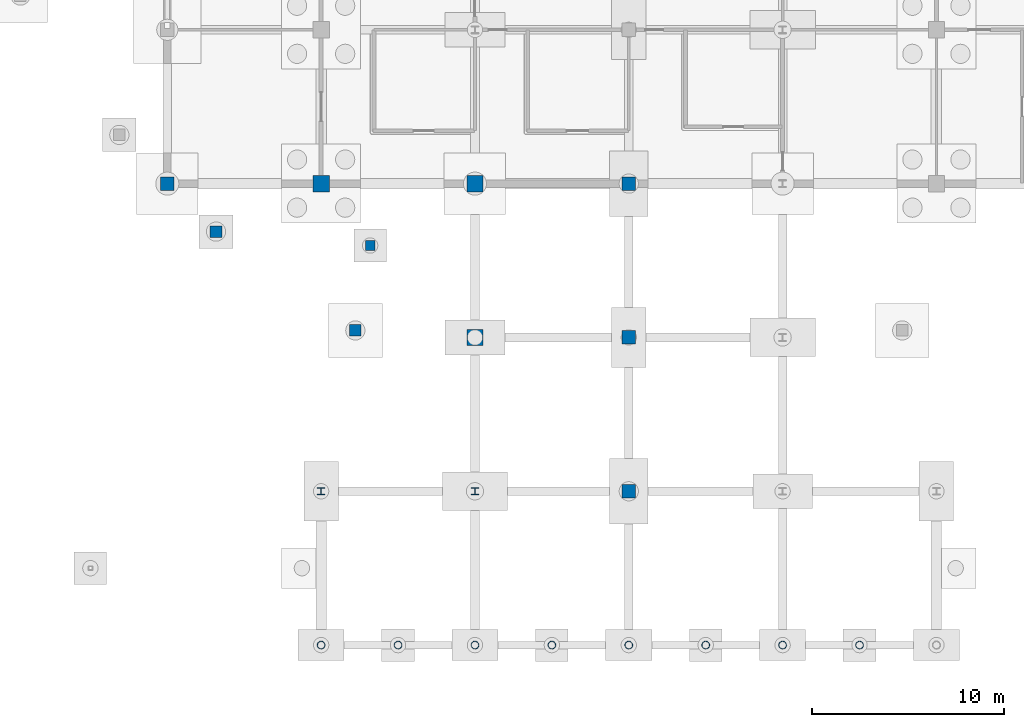
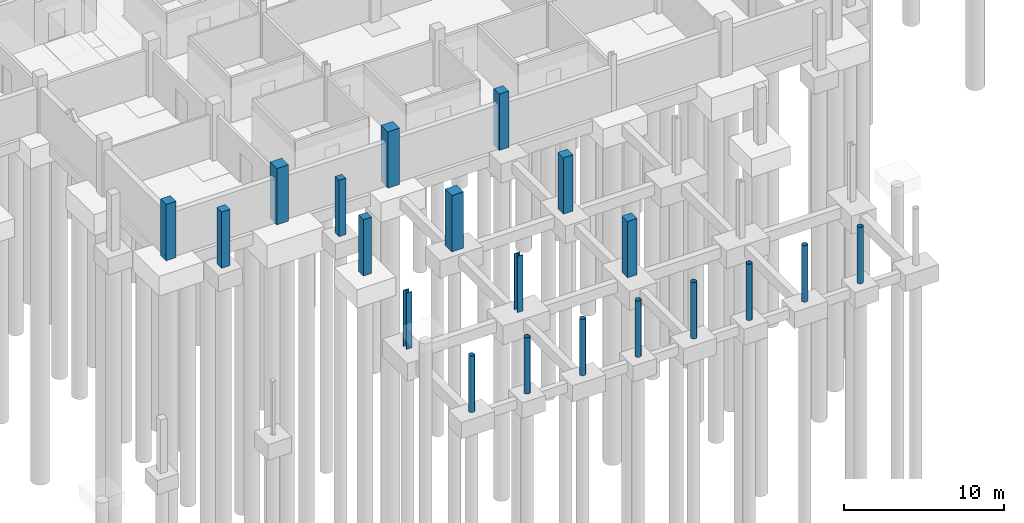
# One storey, part 15 of 48: 20 columns.
"""IFC4 building model written with IfcOpenShell, lengths in metres."""

from ifc_helpers import new_model, si_unit, derived_unit, direction, frame, origin, origin_2d, place, context, subcontext, project, spatial, rectangle, hollow_circle, i_section, extrude, material, material_profile, profile_set, type_object, element, save


model = new_model("IFC4")

# Units and contexts
model_context = context("Model", 3, precision=1e-05, world=origin(), true_north=direction((0.0, 1.0)))
body_context = subcontext(model_context, "Body", "Model", "MODEL_VIEW")
ifc_project = project(units=[si_unit("LENGTHUNIT", "METRE"), si_unit("AREAUNIT", "SQUARE_METRE"), si_unit("VOLUMEUNIT", "CUBIC_METRE"), si_unit("PLANEANGLEUNIT", "RADIAN"), si_unit("MASSUNIT", "GRAM", prefix="KILO"), derived_unit("THERMALTRANSMITTANCEUNIT", [(si_unit("MASSUNIT", "GRAM", prefix="KILO"), 1), (si_unit("TIMEUNIT", "SECOND"), -3), (si_unit("THERMODYNAMICTEMPERATUREUNIT", "KELVIN"), -1)])], contexts=[model_context])

# Site, building, storey
site_placement = place(None, origin())
site = spatial("IfcSite", under=ifc_project, at=site_placement, CompositionType="ELEMENT")
building_placement = place(site_placement, origin())
building = spatial("IfcBuilding", under=site, at=building_placement, Name="Veyamyaing Civic Hall", CompositionType="ELEMENT")
storey_placement = place(building_placement, frame((0.0, 0.0, -4.2900390625)))
storey = spatial("IfcBuildingStorey", under=building, at=storey_placement, Name="B1", CompositionType="ELEMENT", Elevation=-4.2900390625)

# Columns
ifc_material_1 = material(Name="Concrete C45/55", Category="concrete")
ifc_material_profile_1 = material_profile(ifc_material_1, rectangle(XDim=0.85009765625, YDim=0.85009765625, at=origin_2d()), Name="RC-COL-850X850")
ifc_profile_set_1 = profile_set([ifc_material_profile_1], Name="Concrete C45/55")
column_type_1 = type_object("IfcColumnType", Name="C-01", PredefinedType="COLUMN", material=ifc_profile_set_1)
for number, where, z_axis, x_axis, name in (
    (1, (72.0, 24.0, 0.0), (0.0, 0.0, 1.0), (1.0, 0.0, 0.0), "Column C-01 10-D B1"),
    (2, (80.0, 16.0, 0.0), (0.0, 0.0, 1.0), (1.0, 0.0, 0.0), "Column C-01 11-C B1"),
    (3, (80.0, 24.0, 0.0), (0.0, 0.0, 1.0), (1.0, 0.0, 0.0), "Column C-01 11-D B1"),
):
    element("IfcColumn", number, at=place(storey_placement, frame(where, z_axis=z_axis, x_axis=x_axis)), inside=storey, type_object=column_type_1, Name=name, PredefinedType="COLUMN", context=body_context, shape_type="SweptSolid", body=[
        extrude(rectangle(XDim=0.85009765625, YDim=0.85009765625, at=origin_2d()), origin(), (0.0, 0.0, 1.0), 4.2900390625),
    ])
ifc_material_profile_2 = material_profile(ifc_material_1, rectangle(XDim=0.699951171875, YDim=0.699951171875, at=origin_2d()), Name="RC-COL-700X700")
ifc_profile_set_2 = profile_set([ifc_material_profile_2], Name="Concrete C45/55")
column_type_2 = type_object("IfcColumnType", Name="C-04", PredefinedType="COLUMN", material=ifc_profile_set_2)
for number, where, z_axis, x_axis, name in (
    (4, (64.0, 24.0, 0.0), (0.0, 0.0, 1.0), (1.0, 0.0, 0.0), "Column C-04 9-D B1"),
    (5, (88.0, 8.0, 0.0), (0.0, 0.0, 1.0), (1.0, 0.0, 0.0), "Column C-04 12-B B1"),
    (6, (88.0, 16.0, 0.0), (0.0, 0.0, 1.0), (1.0, 0.0, 0.0), "Column C-04 12-C B1"),
    (7, (88.0, 24.0, 0.0), (0.0, 0.0, 1.0), (1.0, 0.0, 0.0), "Column C-04 12-D B1"),
):
    element("IfcColumn", number, at=place(storey_placement, frame(where, z_axis=z_axis, x_axis=x_axis)), inside=storey, type_object=column_type_2, Name=name, PredefinedType="COLUMN", context=body_context, shape_type="SweptSolid", body=[
        extrude(rectangle(XDim=0.699951171875, YDim=0.699951171875, at=origin_2d()), origin(), (0.0, 0.0, 1.0), 4.2900390625),
    ])
ifc_material_profile_3 = material_profile(ifc_material_1, rectangle(XDim=0.60009765625, YDim=0.60009765625, at=origin_2d()), Name="RC-COL-600X600")
ifc_profile_set_3 = profile_set([ifc_material_profile_3], Name="Concrete C45/55")
column_type_3 = type_object("IfcColumnType", Name="C-06", PredefinedType="COLUMN", material=ifc_profile_set_3)
for number, where, z_axis, x_axis, name in (
    (8, (66.533447265625, 21.5048828125, 0.0), (0.0, 0.0, 1.0), (1.0, 0.0, 0.0), "Curved corner column C-06 ARC-SW-09 B1"),
    (9, (73.779296875, 16.36376953125, 0.0), (0.0, 0.0, 1.0), (1.0, 0.0, 0.0), "Curved corner column C-06 ARC-SW-14 B1"),
):
    element("IfcColumn", number, at=place(storey_placement, frame(where, z_axis=z_axis, x_axis=x_axis)), inside=storey, type_object=column_type_3, Name=name, PredefinedType="COLUMN", context=body_context, shape_type="SweptSolid", body=[
        extrude(rectangle(XDim=0.60009765625, YDim=0.60009765625, at=origin_2d()), origin(), (0.0, 0.0, 1.0), 4.2900390625),
    ])
ifc_material_2 = material(Name="Steel S355J2", Category="steel")
ifc_material_profile_4 = material_profile(ifc_material_2, i_section(OverallWidth=0.39794921875, OverallDepth=0.386962890625, WebThickness=0.02099609375, FlangeThickness=0.033203125, FilletRadius=0.014892578125, at=origin_2d()), Name="W360X262")
ifc_profile_set_4 = profile_set([ifc_material_profile_4], Name="Steel S355J2")
column_type_4 = type_object("IfcColumnType", Name="C-08", PredefinedType="COLUMN", material=ifc_profile_set_4)
for number, where, z_axis, x_axis, name in (
    (10, (72.0, 8.0, 0.0), (0.0, 0.0, 1.0), (1.0, 0.0, 0.0), "Column C-08 10-B B1"),
    (11, (80.0, 8.0, 0.0), (0.0, 0.0, 1.0), (1.0, 0.0, 0.0), "Column C-08 11-B B1"),
):
    element("IfcColumn", number, at=place(storey_placement, frame(where, z_axis=z_axis, x_axis=x_axis)), inside=storey, type_object=column_type_4, Name=name, PredefinedType="COLUMN", context=body_context, shape_type="SweptSolid", body=[
        extrude(i_section(OverallWidth=0.39794921875, OverallDepth=0.386962890625, WebThickness=0.02099609375, FlangeThickness=0.033203125, FilletRadius=0.014892578125, at=origin_2d()), origin(), (0.0, 0.0, 1.0), 4.2900390625),
    ])
ifc_material_profile_5 = material_profile(ifc_material_2, hollow_circle(Radius=0.203125, WallThickness=0.0126953125, at=origin_2d()), Name="CHS406X12.7")
ifc_profile_set_5 = profile_set([ifc_material_profile_5], Name="Steel S355J2")
column_type_5 = type_object("IfcColumnType", Name="C-11", PredefinedType="COLUMN", material=ifc_profile_set_5)
for number, where, z_axis, x_axis, name in (
    (12, (72.0, 0.0, 0.0), (0.0, 0.0, 1.0), (1.0, 0.0, 0.0), "Column C-11 10-A B1"),
    (13, (80.0, 0.0, 0.0), (0.0, 0.0, 1.0), (1.0, 0.0, 0.0), "Column C-11 11-A B1"),
    (14, (88.0, 0.0, 0.0), (0.0, 0.0, 1.0), (1.0, 0.0, 0.0), "Column C-11 12-A B1"),
    (15, (96.0, 0.0, 0.0), (0.0, 0.0, 1.0), (1.0, 0.0, 0.0), "Column C-11 13-A B1"),
    (16, (76.0, 0.0, 0.0), (0.0, 0.0, 1.0), (1.0, 0.0, 0.0), "Arcade pilaster C-11 PCOL-MID-1 B1"),
    (17, (84.0, 0.0, 0.0), (0.0, 0.0, 1.0), (1.0, 0.0, 0.0), "Arcade pilaster C-11 PCOL-MID-2 B1"),
    (18, (92.0, 0.0, 0.0), (0.0, 0.0, 1.0), (1.0, 0.0, 0.0), "Arcade pilaster C-11 PCOL-MID-3 B1"),
    (19, (100.0, 0.0, 0.0), (0.0, 0.0, 1.0), (1.0, 0.0, 0.0), "Arcade pilaster C-11 PCOL-MID-4 B1"),
):
    element("IfcColumn", number, at=place(storey_placement, frame(where, z_axis=z_axis, x_axis=x_axis)), inside=storey, type_object=column_type_5, Name=name, PredefinedType="COLUMN", context=body_context, shape_type="SweptSolid", body=[
        extrude(hollow_circle(Radius=0.203125, WallThickness=0.0126953125, at=origin_2d()), origin(), (0.0, 0.0, 1.0), 4.2900390625),
    ])
ifc_material_profile_6 = material_profile(ifc_material_1, rectangle(XDim=0.5, YDim=0.5, at=origin_2d()), Name="RC-COL-500X500")
ifc_profile_set_6 = profile_set([ifc_material_profile_6], Name="Concrete C45/55")
column_type_6 = type_object("IfcColumnType", Name="C-15", PredefinedType="COLUMN", material=ifc_profile_set_6)
column_placement = place(storey_placement, frame((74.550048828125, 20.780029296875, 0.0), z_axis=(0.0, 0.0, 1.0), x_axis=(1.0, 0.0, 0.0)))
element("IfcColumn", 20, at=column_placement, inside=storey, type_object=column_type_6, Name="Monumental stair landing column C-15 ST08-SW B1", PredefinedType="COLUMN", context=body_context, shape_type="SweptSolid", body=[
    extrude(rectangle(XDim=0.5, YDim=0.5, at=origin_2d()), origin(), (0.0, 0.0, 1.0), 4.2900390625),
])

save(model, "model.ifc")
